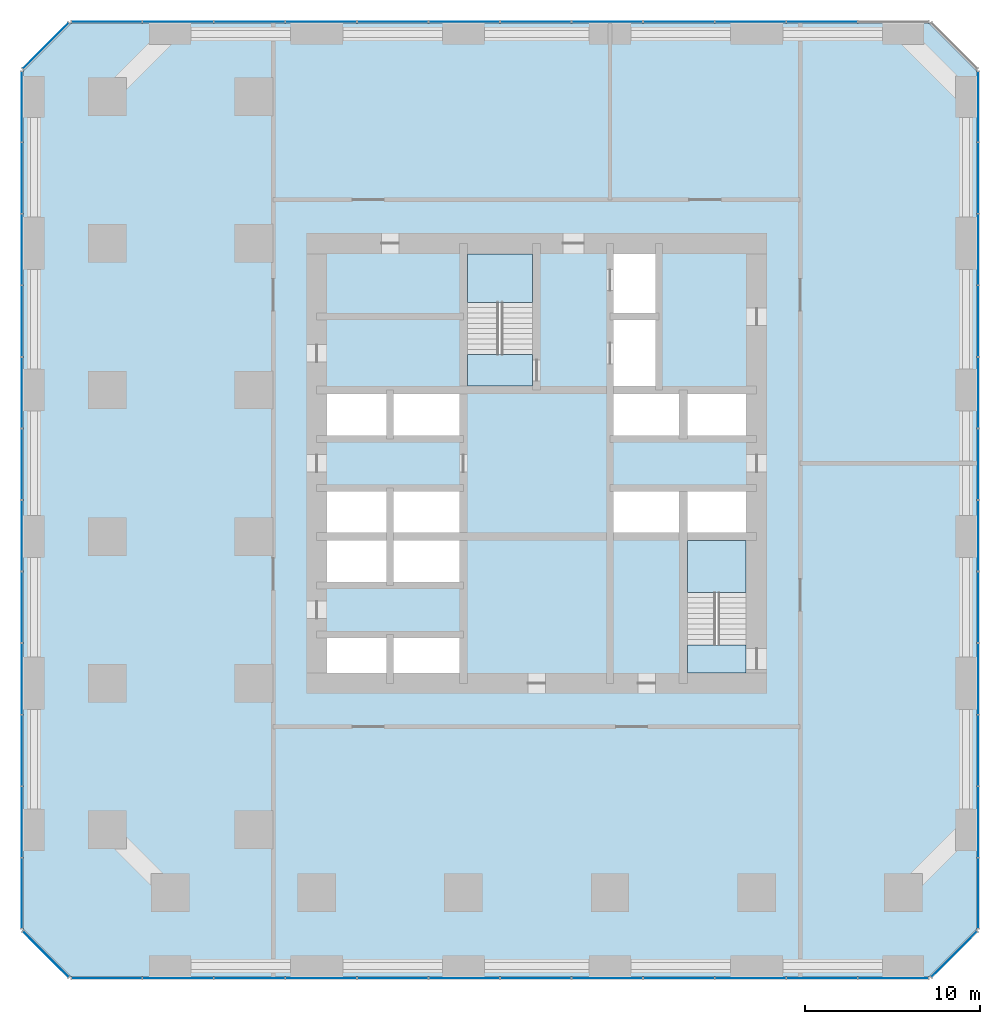
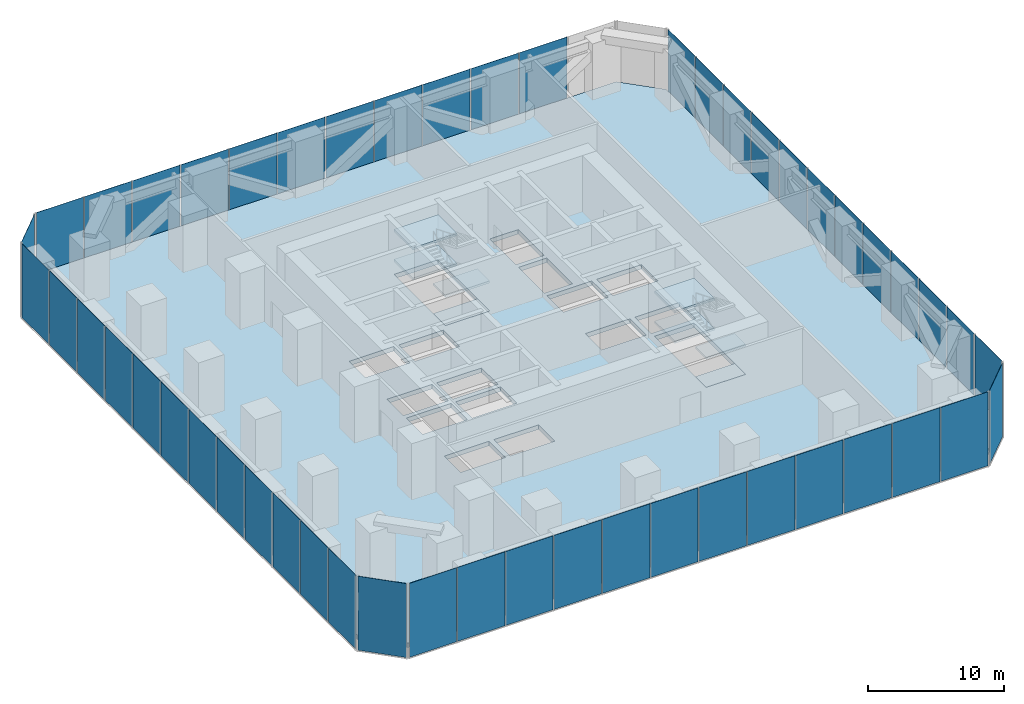
# One storey, part 7 of 10: 50 plates, 9 slabs, 9 elements without a shape of their own.
"""IFC4 building model written with IfcOpenShell, lengths in metres."""

from ifc_helpers import new_model, si_unit, direction, frame, origin, origin_2d, place, context, subcontext, project, spatial, polyline, rectangle, outline, extrude, material, layer, layer_set, type_object, element, aggregate, save


model = new_model("IFC4")

# Units and contexts
model_context = context("Model", 3, precision=1e-05, world=origin(), true_north=direction((0.0, 1.0)))
body_context = subcontext(model_context, "Body", "Model", "MODEL_VIEW")
ifc_project = project(units=[si_unit("LENGTHUNIT", "METRE"), si_unit("AREAUNIT", "SQUARE_METRE"), si_unit("VOLUMEUNIT", "CUBIC_METRE"), si_unit("PLANEANGLEUNIT", "RADIAN"), si_unit("MASSUNIT", "GRAM", prefix="KILO")], contexts=[model_context])

# Site, building, storey
site_placement = place(None, origin())
site = spatial("IfcSite", under=ifc_project, at=site_placement, CompositionType="ELEMENT")
building_placement = place(site_placement, origin())
building = spatial("IfcBuilding", under=site, at=building_placement, Name="Dunama Terrace Hotel", CompositionType="ELEMENT")
storey_placement = place(building_placement, frame((0.0, 0.0, 153.60009765625)))
storey = spatial("IfcBuildingStorey", under=building, at=storey_placement, Name="L39", CompositionType="ELEMENT", Elevation=153.60009765625)

# Curtain wall, plates
ifc_material_1 = material(Name="Aluminium curtain wall system", Category="aluminium")
curtain_wall_type = type_object("IfcCurtainWallType", Name="Plant floor louvred glazing CW-G", PredefinedType="NOTDEFINED", material=ifc_material_1)
curtain_wall_1_placement = place(storey_placement, origin())
curtain_wall_1 = element("IfcCurtainWall", 1, at=curtain_wall_1_placement, inside=storey, type_object=curtain_wall_type, Name="Plant floor louvred glazing CW-G L39", PredefinedType="NOTDEFINED")
ifc_material_2 = material(Name="Aluminium louvre blades", Category="aluminium")
ifc_layer_1 = layer(ifc_material_2, 0.02392578125)
ifc_layer_set_1 = layer_set([ifc_layer_1], Name="CWG louvre panel")
plate_type = type_object("IfcPlateType", Name="CWG louvre panel", PredefinedType="CURTAIN_PANEL", material=ifc_layer_set_1)
plate_1_placement = place(storey_placement, frame((4.76904296875, -0.10009765625, -1.236328125), z_axis=(0.0, 0.0, 1.0), x_axis=(1.0, 0.0, 0.0)))
plate_1 = element("IfcPlate", 2, at=plate_1_placement, type_object=plate_type, Name="CWG louvre panel", PredefinedType="CURTAIN_PANEL", context=body_context, shape_type="SweptSolid", body=[
    extrude(rectangle(XDim=3.987548828125, YDim=0.02392578125, at=origin_2d()), origin(), (0.0, 0.0, 1.0), 6.635986328125),
])
plate_2_placement = place(storey_placement, frame((8.85009765625, -0.10009765625, -1.236328125), z_axis=(0.0, 0.0, 1.0), x_axis=(1.0, 0.0, 0.0)))
plate_2 = element("IfcPlate", 3, at=plate_2_placement, type_object=plate_type, Name="CWG louvre panel", PredefinedType="CURTAIN_PANEL", context=body_context, shape_type="SweptSolid", body=[
    extrude(rectangle(XDim=4.02490234375, YDim=0.02392578125, at=origin_2d()), origin(), (0.0, 0.0, 1.0), 6.635986328125),
])
plate_3_placement = place(storey_placement, frame((12.949951171875, -0.10009765625, -1.236328125), z_axis=(0.0, 0.0, 1.0), x_axis=(1.0, 0.0, 0.0)))
plate_3 = element("IfcPlate", 4, at=plate_3_placement, type_object=plate_type, Name="CWG louvre panel", PredefinedType="CURTAIN_PANEL", context=body_context, shape_type="SweptSolid", body=[
    extrude(rectangle(XDim=4.02490234375, YDim=0.02392578125, at=origin_2d()), origin(), (0.0, 0.0, 1.0), 6.635986328125),
])
plate_4_placement = place(storey_placement, frame((17.050048828125, -0.10009765625, -1.236328125), z_axis=(0.0, 0.0, 1.0), x_axis=(1.0, 0.0, 0.0)))
plate_4 = element("IfcPlate", 5, at=plate_4_placement, type_object=plate_type, Name="CWG louvre panel", PredefinedType="CURTAIN_PANEL", context=body_context, shape_type="SweptSolid", body=[
    extrude(rectangle(XDim=4.02490234375, YDim=0.02392578125, at=origin_2d()), origin(), (0.0, 0.0, 1.0), 6.635986328125),
])
plate_5_placement = place(storey_placement, frame((21.14990234375, -0.10009765625, -1.236328125), z_axis=(0.0, 0.0, 1.0), x_axis=(1.0, 0.0, 0.0)))
plate_5 = element("IfcPlate", 6, at=plate_5_placement, type_object=plate_type, Name="CWG louvre panel", PredefinedType="CURTAIN_PANEL", context=body_context, shape_type="SweptSolid", body=[
    extrude(rectangle(XDim=4.02490234375, YDim=0.02392578125, at=origin_2d()), origin(), (0.0, 0.0, 1.0), 6.635986328125),
])
plate_6_placement = place(storey_placement, frame((25.25, -0.10009765625, -1.236328125), z_axis=(0.0, 0.0, 1.0), x_axis=(1.0, 0.0, 0.0)))
plate_6 = element("IfcPlate", 7, at=plate_6_placement, type_object=plate_type, Name="CWG louvre panel", PredefinedType="CURTAIN_PANEL", context=body_context, shape_type="SweptSolid", body=[
    extrude(rectangle(XDim=4.02490234375, YDim=0.02392578125, at=origin_2d()), origin(), (0.0, 0.0, 1.0), 6.635986328125),
])
plate_7_placement = place(storey_placement, frame((29.35009765625, -0.10009765625, -1.236328125), z_axis=(0.0, 0.0, 1.0), x_axis=(1.0, 0.0, 0.0)))
plate_7 = element("IfcPlate", 8, at=plate_7_placement, type_object=plate_type, Name="CWG louvre panel", PredefinedType="CURTAIN_PANEL", context=body_context, shape_type="SweptSolid", body=[
    extrude(rectangle(XDim=4.02490234375, YDim=0.02392578125, at=origin_2d()), origin(), (0.0, 0.0, 1.0), 6.635986328125),
])
plate_8_placement = place(storey_placement, frame((33.449951171875, -0.10009765625, -1.236328125), z_axis=(0.0, 0.0, 1.0), x_axis=(1.0, 0.0, 0.0)))
plate_8 = element("IfcPlate", 9, at=plate_8_placement, type_object=plate_type, Name="CWG louvre panel", PredefinedType="CURTAIN_PANEL", context=body_context, shape_type="SweptSolid", body=[
    extrude(rectangle(XDim=4.02490234375, YDim=0.02392578125, at=origin_2d()), origin(), (0.0, 0.0, 1.0), 6.635986328125),
])
plate_9_placement = place(storey_placement, frame((37.550048828125, -0.10009765625, -1.236328125), z_axis=(0.0, 0.0, 1.0), x_axis=(1.0, 0.0, 0.0)))
plate_9 = element("IfcPlate", 10, at=plate_9_placement, type_object=plate_type, Name="CWG louvre panel", PredefinedType="CURTAIN_PANEL", context=body_context, shape_type="SweptSolid", body=[
    extrude(rectangle(XDim=4.02490234375, YDim=0.02392578125, at=origin_2d()), origin(), (0.0, 0.0, 1.0), 6.635986328125),
])
plate_10_placement = place(storey_placement, frame((41.64990234375, -0.10009765625, -1.236328125), z_axis=(0.0, 0.0, 1.0), x_axis=(1.0, 0.0, 0.0)))
plate_10 = element("IfcPlate", 11, at=plate_10_placement, type_object=plate_type, Name="CWG louvre panel", PredefinedType="CURTAIN_PANEL", context=body_context, shape_type="SweptSolid", body=[
    extrude(rectangle(XDim=4.02490234375, YDim=0.02392578125, at=origin_2d()), origin(), (0.0, 0.0, 1.0), 6.635986328125),
])
plate_11_placement = place(storey_placement, frame((45.75, -0.10009765625, -1.236328125), z_axis=(0.0, 0.0, 1.0), x_axis=(1.0, 0.0, 0.0)))
plate_11 = element("IfcPlate", 12, at=plate_11_placement, type_object=plate_type, Name="CWG louvre panel", PredefinedType="CURTAIN_PANEL", context=body_context, shape_type="SweptSolid", body=[
    extrude(rectangle(XDim=4.02490234375, YDim=0.02392578125, at=origin_2d()), origin(), (0.0, 0.0, 1.0), 6.635986328125),
])
plate_12_placement = place(storey_placement, frame((49.8310546875, -0.10009765625, -1.236328125), z_axis=(0.0, 0.0, 1.0), x_axis=(1.0, 0.0, 0.0)))
plate_12 = element("IfcPlate", 13, at=plate_12_placement, type_object=plate_type, Name="CWG louvre panel", PredefinedType="CURTAIN_PANEL", context=body_context, shape_type="SweptSolid", body=[
    extrude(rectangle(XDim=3.987548828125, YDim=0.02392578125, at=origin_2d()), origin(), (0.0, 0.0, 1.0), 6.635986328125),
])
aggregate(curtain_wall_1, [plate_1, plate_2, plate_3, plate_4, plate_5, plate_6, plate_7, plate_8, plate_9, plate_10, plate_11, plate_12])

# Curtain wall, plate
curtain_wall_2_placement = place(storey_placement, origin())
curtain_wall_2 = element("IfcCurtainWall", 14, at=curtain_wall_2_placement, inside=storey, type_object=curtain_wall_type, Name="Plant floor louvred glazing CW-G L39", PredefinedType="NOTDEFINED")
plate_13_placement = place(storey_placement, frame((53.321044921875, 1.279052734375, -1.236328125), z_axis=(0.0, 0.0, 1.0), x_axis=(0.707106781187, 0.707106781187, 0.0)))
plate_13 = element("IfcPlate", 15, at=plate_13_placement, type_object=plate_type, Name="CWG louvre panel", PredefinedType="CURTAIN_PANEL", context=body_context, shape_type="SweptSolid", body=[
    extrude(rectangle(XDim=3.66845703125, YDim=0.02392578125, at=origin_2d()), origin(), (0.0, 0.0, 1.0), 6.635986328125),
])
aggregate(curtain_wall_2, [plate_13])

# Curtain wall, plates
curtain_wall_3_placement = place(storey_placement, origin())
curtain_wall_3 = element("IfcCurtainWall", 16, at=curtain_wall_3_placement, inside=storey, type_object=curtain_wall_type, Name="Plant floor louvred glazing CW-G L39", PredefinedType="NOTDEFINED")
plate_14_placement = place(storey_placement, frame((54.699951171875, 4.76904296875, -1.236328125), z_axis=(0.0, 0.0, 1.0), x_axis=(0.0, 1.0, 0.0)))
plate_14 = element("IfcPlate", 17, at=plate_14_placement, type_object=plate_type, Name="CWG louvre panel", PredefinedType="CURTAIN_PANEL", context=body_context, shape_type="SweptSolid", body=[
    extrude(rectangle(XDim=3.987548828125, YDim=0.02392578125, at=origin_2d()), origin(), (0.0, 0.0, 1.0), 6.635986328125),
])
plate_15_placement = place(storey_placement, frame((54.699951171875, 8.85009765625, -1.236328125), z_axis=(0.0, 0.0, 1.0), x_axis=(0.0, 1.0, 0.0)))
plate_15 = element("IfcPlate", 18, at=plate_15_placement, type_object=plate_type, Name="CWG louvre panel", PredefinedType="CURTAIN_PANEL", context=body_context, shape_type="SweptSolid", body=[
    extrude(rectangle(XDim=4.02490234375, YDim=0.02392578125, at=origin_2d()), origin(), (0.0, 0.0, 1.0), 6.635986328125),
])
plate_16_placement = place(storey_placement, frame((54.699951171875, 12.949951171875, -1.236328125), z_axis=(0.0, 0.0, 1.0), x_axis=(0.0, 1.0, 0.0)))
plate_16 = element("IfcPlate", 19, at=plate_16_placement, type_object=plate_type, Name="CWG louvre panel", PredefinedType="CURTAIN_PANEL", context=body_context, shape_type="SweptSolid", body=[
    extrude(rectangle(XDim=4.02490234375, YDim=0.02392578125, at=origin_2d()), origin(), (0.0, 0.0, 1.0), 6.635986328125),
])
plate_17_placement = place(storey_placement, frame((54.699951171875, 17.050048828125, -1.236328125), z_axis=(0.0, 0.0, 1.0), x_axis=(0.0, 1.0, 0.0)))
plate_17 = element("IfcPlate", 20, at=plate_17_placement, type_object=plate_type, Name="CWG louvre panel", PredefinedType="CURTAIN_PANEL", context=body_context, shape_type="SweptSolid", body=[
    extrude(rectangle(XDim=4.02490234375, YDim=0.02392578125, at=origin_2d()), origin(), (0.0, 0.0, 1.0), 6.635986328125),
])
plate_18_placement = place(storey_placement, frame((54.699951171875, 21.14990234375, -1.236328125), z_axis=(0.0, 0.0, 1.0), x_axis=(0.0, 1.0, 0.0)))
plate_18 = element("IfcPlate", 21, at=plate_18_placement, type_object=plate_type, Name="CWG louvre panel", PredefinedType="CURTAIN_PANEL", context=body_context, shape_type="SweptSolid", body=[
    extrude(rectangle(XDim=4.02490234375, YDim=0.02392578125, at=origin_2d()), origin(), (0.0, 0.0, 1.0), 6.635986328125),
])
plate_19_placement = place(storey_placement, frame((54.699951171875, 25.25, -1.236328125), z_axis=(0.0, 0.0, 1.0), x_axis=(0.0, 1.0, 0.0)))
plate_19 = element("IfcPlate", 22, at=plate_19_placement, type_object=plate_type, Name="CWG louvre panel", PredefinedType="CURTAIN_PANEL", context=body_context, shape_type="SweptSolid", body=[
    extrude(rectangle(XDim=4.02490234375, YDim=0.02392578125, at=origin_2d()), origin(), (0.0, 0.0, 1.0), 6.635986328125),
])
plate_20_placement = place(storey_placement, frame((54.699951171875, 29.35009765625, -1.236328125), z_axis=(0.0, 0.0, 1.0), x_axis=(0.0, 1.0, 0.0)))
plate_20 = element("IfcPlate", 23, at=plate_20_placement, type_object=plate_type, Name="CWG louvre panel", PredefinedType="CURTAIN_PANEL", context=body_context, shape_type="SweptSolid", body=[
    extrude(rectangle(XDim=4.02490234375, YDim=0.02392578125, at=origin_2d()), origin(), (0.0, 0.0, 1.0), 6.635986328125),
])
plate_21_placement = place(storey_placement, frame((54.699951171875, 33.449951171875, -1.236328125), z_axis=(0.0, 0.0, 1.0), x_axis=(0.0, 1.0, 0.0)))
plate_21 = element("IfcPlate", 24, at=plate_21_placement, type_object=plate_type, Name="CWG louvre panel", PredefinedType="CURTAIN_PANEL", context=body_context, shape_type="SweptSolid", body=[
    extrude(rectangle(XDim=4.02490234375, YDim=0.02392578125, at=origin_2d()), origin(), (0.0, 0.0, 1.0), 6.635986328125),
])
plate_22_placement = place(storey_placement, frame((54.699951171875, 37.550048828125, -1.236328125), z_axis=(0.0, 0.0, 1.0), x_axis=(0.0, 1.0, 0.0)))
plate_22 = element("IfcPlate", 25, at=plate_22_placement, type_object=plate_type, Name="CWG louvre panel", PredefinedType="CURTAIN_PANEL", context=body_context, shape_type="SweptSolid", body=[
    extrude(rectangle(XDim=4.02490234375, YDim=0.02392578125, at=origin_2d()), origin(), (0.0, 0.0, 1.0), 6.635986328125),
])
plate_23_placement = place(storey_placement, frame((54.699951171875, 41.64990234375, -1.236328125), z_axis=(0.0, 0.0, 1.0), x_axis=(0.0, 1.0, 0.0)))
plate_23 = element("IfcPlate", 26, at=plate_23_placement, type_object=plate_type, Name="CWG louvre panel", PredefinedType="CURTAIN_PANEL", context=body_context, shape_type="SweptSolid", body=[
    extrude(rectangle(XDim=4.02490234375, YDim=0.02392578125, at=origin_2d()), origin(), (0.0, 0.0, 1.0), 6.635986328125),
])
plate_24_placement = place(storey_placement, frame((54.699951171875, 45.75, -1.236328125), z_axis=(0.0, 0.0, 1.0), x_axis=(0.0, 1.0, 0.0)))
plate_24 = element("IfcPlate", 27, at=plate_24_placement, type_object=plate_type, Name="CWG louvre panel", PredefinedType="CURTAIN_PANEL", context=body_context, shape_type="SweptSolid", body=[
    extrude(rectangle(XDim=4.02490234375, YDim=0.02392578125, at=origin_2d()), origin(), (0.0, 0.0, 1.0), 6.635986328125),
])
plate_25_placement = place(storey_placement, frame((54.699951171875, 49.8310546875, -1.236328125), z_axis=(0.0, 0.0, 1.0), x_axis=(0.0, 1.0, 0.0)))
plate_25 = element("IfcPlate", 28, at=plate_25_placement, type_object=plate_type, Name="CWG louvre panel", PredefinedType="CURTAIN_PANEL", context=body_context, shape_type="SweptSolid", body=[
    extrude(rectangle(XDim=3.987548828125, YDim=0.02392578125, at=origin_2d()), origin(), (0.0, 0.0, 1.0), 6.635986328125),
])
aggregate(curtain_wall_3, [plate_14, plate_15, plate_16, plate_17, plate_18, plate_19, plate_20, plate_21, plate_22, plate_23, plate_24, plate_25])

curtain_wall_4_placement = place(storey_placement, origin())
curtain_wall_4 = element("IfcCurtainWall", 29, at=curtain_wall_4_placement, inside=storey, type_object=curtain_wall_type, Name="Plant floor louvred glazing CW-G L39", PredefinedType="NOTDEFINED")
plate_26_placement = place(storey_placement, frame((45.75, 54.699951171875, -1.236328125), z_axis=(0.0, 0.0, 1.0), x_axis=(-1.0, 0.0, 0.0)))
plate_26 = element("IfcPlate", 30, at=plate_26_placement, type_object=plate_type, Name="CWG louvre panel", PredefinedType="CURTAIN_PANEL", context=body_context, shape_type="SweptSolid", body=[
    extrude(rectangle(XDim=4.02490234375, YDim=0.02392578125, at=origin_2d()), origin(), (0.0, 0.0, 1.0), 6.635986328125),
])
plate_27_placement = place(storey_placement, frame((41.64990234375, 54.699951171875, -1.236328125), z_axis=(0.0, 0.0, 1.0), x_axis=(-1.0, 0.0, 0.0)))
plate_27 = element("IfcPlate", 31, at=plate_27_placement, type_object=plate_type, Name="CWG louvre panel", PredefinedType="CURTAIN_PANEL", context=body_context, shape_type="SweptSolid", body=[
    extrude(rectangle(XDim=4.02490234375, YDim=0.02392578125, at=origin_2d()), origin(), (0.0, 0.0, 1.0), 6.635986328125),
])
plate_28_placement = place(storey_placement, frame((37.550048828125, 54.699951171875, -1.236328125), z_axis=(0.0, 0.0, 1.0), x_axis=(-1.0, 0.0, 0.0)))
plate_28 = element("IfcPlate", 32, at=plate_28_placement, type_object=plate_type, Name="CWG louvre panel", PredefinedType="CURTAIN_PANEL", context=body_context, shape_type="SweptSolid", body=[
    extrude(rectangle(XDim=4.02490234375, YDim=0.02392578125, at=origin_2d()), origin(), (0.0, 0.0, 1.0), 6.635986328125),
])
plate_29_placement = place(storey_placement, frame((33.449951171875, 54.699951171875, -1.236328125), z_axis=(0.0, 0.0, 1.0), x_axis=(-1.0, 0.0, 0.0)))
plate_29 = element("IfcPlate", 33, at=plate_29_placement, type_object=plate_type, Name="CWG louvre panel", PredefinedType="CURTAIN_PANEL", context=body_context, shape_type="SweptSolid", body=[
    extrude(rectangle(XDim=4.02490234375, YDim=0.02392578125, at=origin_2d()), origin(), (0.0, 0.0, 1.0), 6.635986328125),
])
plate_30_placement = place(storey_placement, frame((29.35009765625, 54.699951171875, -1.236328125), z_axis=(0.0, 0.0, 1.0), x_axis=(-1.0, 0.0, 0.0)))
plate_30 = element("IfcPlate", 34, at=plate_30_placement, type_object=plate_type, Name="CWG louvre panel", PredefinedType="CURTAIN_PANEL", context=body_context, shape_type="SweptSolid", body=[
    extrude(rectangle(XDim=4.02490234375, YDim=0.02392578125, at=origin_2d()), origin(), (0.0, 0.0, 1.0), 6.635986328125),
])
plate_31_placement = place(storey_placement, frame((25.25, 54.699951171875, -1.236328125), z_axis=(0.0, 0.0, 1.0), x_axis=(-1.0, 0.0, 0.0)))
plate_31 = element("IfcPlate", 35, at=plate_31_placement, type_object=plate_type, Name="CWG louvre panel", PredefinedType="CURTAIN_PANEL", context=body_context, shape_type="SweptSolid", body=[
    extrude(rectangle(XDim=4.02490234375, YDim=0.02392578125, at=origin_2d()), origin(), (0.0, 0.0, 1.0), 6.635986328125),
])
plate_32_placement = place(storey_placement, frame((21.14990234375, 54.699951171875, -1.236328125), z_axis=(0.0, 0.0, 1.0), x_axis=(-1.0, 0.0, 0.0)))
plate_32 = element("IfcPlate", 36, at=plate_32_placement, type_object=plate_type, Name="CWG louvre panel", PredefinedType="CURTAIN_PANEL", context=body_context, shape_type="SweptSolid", body=[
    extrude(rectangle(XDim=4.02490234375, YDim=0.02392578125, at=origin_2d()), origin(), (0.0, 0.0, 1.0), 6.635986328125),
])
plate_33_placement = place(storey_placement, frame((17.050048828125, 54.699951171875, -1.236328125), z_axis=(0.0, 0.0, 1.0), x_axis=(-1.0, 0.0, 0.0)))
plate_33 = element("IfcPlate", 37, at=plate_33_placement, type_object=plate_type, Name="CWG louvre panel", PredefinedType="CURTAIN_PANEL", context=body_context, shape_type="SweptSolid", body=[
    extrude(rectangle(XDim=4.02490234375, YDim=0.02392578125, at=origin_2d()), origin(), (0.0, 0.0, 1.0), 6.635986328125),
])
plate_34_placement = place(storey_placement, frame((12.949951171875, 54.699951171875, -1.236328125), z_axis=(0.0, 0.0, 1.0), x_axis=(-1.0, 0.0, 0.0)))
plate_34 = element("IfcPlate", 38, at=plate_34_placement, type_object=plate_type, Name="CWG louvre panel", PredefinedType="CURTAIN_PANEL", context=body_context, shape_type="SweptSolid", body=[
    extrude(rectangle(XDim=4.02490234375, YDim=0.02392578125, at=origin_2d()), origin(), (0.0, 0.0, 1.0), 6.635986328125),
])
plate_35_placement = place(storey_placement, frame((8.85009765625, 54.699951171875, -1.236328125), z_axis=(0.0, 0.0, 1.0), x_axis=(-1.0, 0.0, 0.0)))
plate_35 = element("IfcPlate", 39, at=plate_35_placement, type_object=plate_type, Name="CWG louvre panel", PredefinedType="CURTAIN_PANEL", context=body_context, shape_type="SweptSolid", body=[
    extrude(rectangle(XDim=4.02490234375, YDim=0.02392578125, at=origin_2d()), origin(), (0.0, 0.0, 1.0), 6.635986328125),
])
plate_36_placement = place(storey_placement, frame((4.76904296875, 54.699951171875, -1.236328125), z_axis=(0.0, 0.0, 1.0), x_axis=(-1.0, 0.0, 0.0)))
plate_36 = element("IfcPlate", 40, at=plate_36_placement, type_object=plate_type, Name="CWG louvre panel", PredefinedType="CURTAIN_PANEL", context=body_context, shape_type="SweptSolid", body=[
    extrude(rectangle(XDim=3.987548828125, YDim=0.02392578125, at=origin_2d()), origin(), (0.0, 0.0, 1.0), 6.635986328125),
])
aggregate(curtain_wall_4, [plate_26, plate_27, plate_28, plate_29, plate_30, plate_31, plate_32, plate_33, plate_34, plate_35, plate_36])

# Curtain wall, plate
curtain_wall_5_placement = place(storey_placement, origin())
curtain_wall_5 = element("IfcCurtainWall", 41, at=curtain_wall_5_placement, inside=storey, type_object=curtain_wall_type, Name="Plant floor louvred glazing CW-G L39", PredefinedType="NOTDEFINED")
plate_37_placement = place(storey_placement, frame((1.279052734375, 53.321044921875, -1.236328125), z_axis=(0.0, 0.0, 1.0), x_axis=(-0.707106781187, -0.707106781187, 0.0)))
plate_37 = element("IfcPlate", 42, at=plate_37_placement, type_object=plate_type, Name="CWG louvre panel", PredefinedType="CURTAIN_PANEL", context=body_context, shape_type="SweptSolid", body=[
    extrude(rectangle(XDim=3.66845703125, YDim=0.02392578125, at=origin_2d()), origin(), (0.0, 0.0, 1.0), 6.635986328125),
])
aggregate(curtain_wall_5, [plate_37])

# Curtain wall, plates
curtain_wall_6_placement = place(storey_placement, origin())
curtain_wall_6 = element("IfcCurtainWall", 43, at=curtain_wall_6_placement, inside=storey, type_object=curtain_wall_type, Name="Plant floor louvred glazing CW-G L39", PredefinedType="NOTDEFINED")
plate_38_placement = place(storey_placement, frame((-0.10009765625, 49.8310546875, -1.236328125), z_axis=(0.0, 0.0, 1.0), x_axis=(0.0, -1.0, 0.0)))
plate_38 = element("IfcPlate", 44, at=plate_38_placement, type_object=plate_type, Name="CWG louvre panel", PredefinedType="CURTAIN_PANEL", context=body_context, shape_type="SweptSolid", body=[
    extrude(rectangle(XDim=3.987548828125, YDim=0.02392578125, at=origin_2d()), origin(), (0.0, 0.0, 1.0), 6.635986328125),
])
plate_39_placement = place(storey_placement, frame((-0.10009765625, 45.75, -1.236328125), z_axis=(0.0, 0.0, 1.0), x_axis=(0.0, -1.0, 0.0)))
plate_39 = element("IfcPlate", 45, at=plate_39_placement, type_object=plate_type, Name="CWG louvre panel", PredefinedType="CURTAIN_PANEL", context=body_context, shape_type="SweptSolid", body=[
    extrude(rectangle(XDim=4.02490234375, YDim=0.02392578125, at=origin_2d()), origin(), (0.0, 0.0, 1.0), 6.635986328125),
])
plate_40_placement = place(storey_placement, frame((-0.10009765625, 41.64990234375, -1.236328125), z_axis=(0.0, 0.0, 1.0), x_axis=(0.0, -1.0, 0.0)))
plate_40 = element("IfcPlate", 46, at=plate_40_placement, type_object=plate_type, Name="CWG louvre panel", PredefinedType="CURTAIN_PANEL", context=body_context, shape_type="SweptSolid", body=[
    extrude(rectangle(XDim=4.02490234375, YDim=0.02392578125, at=origin_2d()), origin(), (0.0, 0.0, 1.0), 6.635986328125),
])
plate_41_placement = place(storey_placement, frame((-0.10009765625, 37.550048828125, -1.236328125), z_axis=(0.0, 0.0, 1.0), x_axis=(0.0, -1.0, 0.0)))
plate_41 = element("IfcPlate", 47, at=plate_41_placement, type_object=plate_type, Name="CWG louvre panel", PredefinedType="CURTAIN_PANEL", context=body_context, shape_type="SweptSolid", body=[
    extrude(rectangle(XDim=4.02490234375, YDim=0.02392578125, at=origin_2d()), origin(), (0.0, 0.0, 1.0), 6.635986328125),
])
plate_42_placement = place(storey_placement, frame((-0.10009765625, 33.449951171875, -1.236328125), z_axis=(0.0, 0.0, 1.0), x_axis=(0.0, -1.0, 0.0)))
plate_42 = element("IfcPlate", 48, at=plate_42_placement, type_object=plate_type, Name="CWG louvre panel", PredefinedType="CURTAIN_PANEL", context=body_context, shape_type="SweptSolid", body=[
    extrude(rectangle(XDim=4.02490234375, YDim=0.02392578125, at=origin_2d()), origin(), (0.0, 0.0, 1.0), 6.635986328125),
])
plate_43_placement = place(storey_placement, frame((-0.10009765625, 29.35009765625, -1.236328125), z_axis=(0.0, 0.0, 1.0), x_axis=(0.0, -1.0, 0.0)))
plate_43 = element("IfcPlate", 49, at=plate_43_placement, type_object=plate_type, Name="CWG louvre panel", PredefinedType="CURTAIN_PANEL", context=body_context, shape_type="SweptSolid", body=[
    extrude(rectangle(XDim=4.02490234375, YDim=0.02392578125, at=origin_2d()), origin(), (0.0, 0.0, 1.0), 6.635986328125),
])
plate_44_placement = place(storey_placement, frame((-0.10009765625, 25.25, -1.236328125), z_axis=(0.0, 0.0, 1.0), x_axis=(0.0, -1.0, 0.0)))
plate_44 = element("IfcPlate", 50, at=plate_44_placement, type_object=plate_type, Name="CWG louvre panel", PredefinedType="CURTAIN_PANEL", context=body_context, shape_type="SweptSolid", body=[
    extrude(rectangle(XDim=4.02490234375, YDim=0.02392578125, at=origin_2d()), origin(), (0.0, 0.0, 1.0), 6.635986328125),
])
plate_45_placement = place(storey_placement, frame((-0.10009765625, 21.14990234375, -1.236328125), z_axis=(0.0, 0.0, 1.0), x_axis=(0.0, -1.0, 0.0)))
plate_45 = element("IfcPlate", 51, at=plate_45_placement, type_object=plate_type, Name="CWG louvre panel", PredefinedType="CURTAIN_PANEL", context=body_context, shape_type="SweptSolid", body=[
    extrude(rectangle(XDim=4.02490234375, YDim=0.02392578125, at=origin_2d()), origin(), (0.0, 0.0, 1.0), 6.635986328125),
])
plate_46_placement = place(storey_placement, frame((-0.10009765625, 17.050048828125, -1.236328125), z_axis=(0.0, 0.0, 1.0), x_axis=(0.0, -1.0, 0.0)))
plate_46 = element("IfcPlate", 52, at=plate_46_placement, type_object=plate_type, Name="CWG louvre panel", PredefinedType="CURTAIN_PANEL", context=body_context, shape_type="SweptSolid", body=[
    extrude(rectangle(XDim=4.02490234375, YDim=0.02392578125, at=origin_2d()), origin(), (0.0, 0.0, 1.0), 6.635986328125),
])
plate_47_placement = place(storey_placement, frame((-0.10009765625, 12.949951171875, -1.236328125), z_axis=(0.0, 0.0, 1.0), x_axis=(0.0, -1.0, 0.0)))
plate_47 = element("IfcPlate", 53, at=plate_47_placement, type_object=plate_type, Name="CWG louvre panel", PredefinedType="CURTAIN_PANEL", context=body_context, shape_type="SweptSolid", body=[
    extrude(rectangle(XDim=4.02490234375, YDim=0.02392578125, at=origin_2d()), origin(), (0.0, 0.0, 1.0), 6.635986328125),
])
plate_48_placement = place(storey_placement, frame((-0.10009765625, 8.85009765625, -1.236328125), z_axis=(0.0, 0.0, 1.0), x_axis=(0.0, -1.0, 0.0)))
plate_48 = element("IfcPlate", 54, at=plate_48_placement, type_object=plate_type, Name="CWG louvre panel", PredefinedType="CURTAIN_PANEL", context=body_context, shape_type="SweptSolid", body=[
    extrude(rectangle(XDim=4.02490234375, YDim=0.02392578125, at=origin_2d()), origin(), (0.0, 0.0, 1.0), 6.635986328125),
])
plate_49_placement = place(storey_placement, frame((-0.10009765625, 4.76904296875, -1.236328125), z_axis=(0.0, 0.0, 1.0), x_axis=(0.0, -1.0, 0.0)))
plate_49 = element("IfcPlate", 55, at=plate_49_placement, type_object=plate_type, Name="CWG louvre panel", PredefinedType="CURTAIN_PANEL", context=body_context, shape_type="SweptSolid", body=[
    extrude(rectangle(XDim=3.987548828125, YDim=0.02392578125, at=origin_2d()), origin(), (0.0, 0.0, 1.0), 6.635986328125),
])
aggregate(curtain_wall_6, [plate_38, plate_39, plate_40, plate_41, plate_42, plate_43, plate_44, plate_45, plate_46, plate_47, plate_48, plate_49])

# Curtain wall, plate
curtain_wall_7_placement = place(storey_placement, origin())
curtain_wall_7 = element("IfcCurtainWall", 56, at=curtain_wall_7_placement, inside=storey, type_object=curtain_wall_type, Name="Plant floor louvred glazing CW-G L39", PredefinedType="NOTDEFINED")
plate_50_placement = place(storey_placement, frame((1.279052734375, 1.279052734375, -1.236328125), z_axis=(0.0, 0.0, 1.0), x_axis=(0.707106781187, -0.707106781187, 0.0)))
plate_50 = element("IfcPlate", 57, at=plate_50_placement, type_object=plate_type, Name="CWG louvre panel", PredefinedType="CURTAIN_PANEL", context=body_context, shape_type="SweptSolid", body=[
    extrude(rectangle(XDim=3.66845703125, YDim=0.02392578125, at=origin_2d()), origin(), (0.0, 0.0, 1.0), 6.635986328125),
])
aggregate(curtain_wall_7, [plate_50])

# Slab
ifc_material_3 = material(Name="Concrete C40/50", Category="concrete")
ifc_layer_2 = layer(ifc_material_3, 0.39990234375)
ifc_layer_set_2 = layer_set([ifc_layer_2], Name="Plant floor plate 400")
slab_type_1 = type_object("IfcSlabType", Name="Plant floor plate 400", PredefinedType="FLOOR", material=ifc_layer_set_2)
slab_1_placement = place(storey_placement, frame((0.0, 0.0, -0.400146484375)))
element("IfcSlab", 58, at=slab_1_placement, inside=storey, type_object=slab_type_1, Name="Floor slab L39", PredefinedType="FLOOR", context=body_context, shape_type="SweptSolid", body=[
    extrude(outline(polyline([(2.699951171875, 0.0), (51.89990234375, 0.0), (54.60009765625, 2.699951171875), (54.60009765625, 51.89990234375), (51.89990234375, 54.60009765625), (2.699951171875, 54.60009765625), (0.0, 51.89990234375), (0.0, 2.699951171875), (2.699951171875, 0.0)]), holes=[polyline([(37.60009765625, 25.39990234375), (37.60009765625, 27.800048828125), (33.800048828125, 27.800048828125), (33.800048828125, 25.39990234375), (37.60009765625, 25.39990234375)]), polyline([(41.800048828125, 25.39990234375), (41.800048828125, 27.800048828125), (38.0, 27.800048828125), (38.0, 25.39990234375), (41.800048828125, 25.39990234375)]), polyline([(20.800048828125, 17.0), (20.800048828125, 19.39990234375), (17.0, 19.39990234375), (17.0, 17.0), (20.800048828125, 17.0)]), polyline([(25.0, 17.0), (25.0, 19.39990234375), (21.199951171875, 19.39990234375), (21.199951171875, 17.0), (25.0, 17.0)]), polyline([(20.800048828125, 22.60009765625), (20.800048828125, 25.0), (17.0, 25.0), (17.0, 22.60009765625), (20.800048828125, 22.60009765625)]), polyline([(25.0, 22.60009765625), (25.0, 25.0), (21.199951171875, 25.0), (21.199951171875, 22.60009765625), (25.0, 22.60009765625)]), polyline([(20.800048828125, 25.39990234375), (20.800048828125, 27.800048828125), (17.0, 27.800048828125), (17.0, 25.39990234375), (20.800048828125, 25.39990234375)]), polyline([(25.0, 25.39990234375), (25.0, 27.800048828125), (21.199951171875, 27.800048828125), (21.199951171875, 25.39990234375), (25.0, 25.39990234375)]), polyline([(20.800048828125, 31.0), (20.800048828125, 33.39990234375), (17.0, 33.39990234375), (17.0, 31.0), (20.800048828125, 31.0)]), polyline([(25.0, 31.0), (25.0, 33.39990234375), (21.199951171875, 33.39990234375), (21.199951171875, 31.0), (25.0, 31.0)]), polyline([(37.60009765625, 31.0), (37.60009765625, 33.39990234375), (33.800048828125, 33.39990234375), (33.800048828125, 31.0), (37.60009765625, 31.0)]), polyline([(41.800048828125, 31.0), (41.800048828125, 33.39990234375), (38.0, 33.39990234375), (38.0, 31.0), (41.800048828125, 31.0)]), polyline([(36.199951171875, 38.0), (36.199951171875, 41.800048828125), (33.800048828125, 41.800048828125), (33.800048828125, 38.0), (36.199951171875, 38.0)]), polyline([(36.199951171875, 33.800048828125), (36.199951171875, 37.60009765625), (33.800048828125, 37.60009765625), (33.800048828125, 33.800048828125), (36.199951171875, 33.800048828125)]), polyline([(29.175048828125, 33.824951171875), (29.175048828125, 41.39990234375), (25.425048828125, 41.39990234375), (25.425048828125, 33.824951171875), (29.175048828125, 33.824951171875)]), polyline([(41.39990234375, 17.39990234375), (41.39990234375, 24.97509765625), (38.050048828125, 24.97509765625), (38.050048828125, 17.39990234375), (41.39990234375, 17.39990234375)])]), origin(), (0.0, 0.0, 1.0), 0.400146484375),
])

# Stair, slabs
ifc_material_4 = material(Name="Concrete C40/50", Category="concrete")
stair_type_1 = type_object("IfcStairType", Name="Stair ST1-5400-1800", PredefinedType="HALF_TURN_STAIR", material=ifc_material_4)
stair_1_placement = place(storey_placement, origin())
stair_1 = element("IfcStair", 59, at=stair_1_placement, inside=storey, type_object=stair_type_1, Name="Stair ST1 L39", PredefinedType="HALF_TURN_STAIR")
ifc_material_5 = material(Name="Concrete C40/50", Category="concrete")
ifc_layer_3 = layer(ifc_material_5, 0.199951171875)
ifc_layer_set_3 = layer_set([ifc_layer_3], Name="Stair landing 200")
slab_type_2 = type_object("IfcSlabType", Name="Stair landing 200", PredefinedType="LANDING", material=ifc_layer_set_3)
slab_2_placement = place(storey_placement, frame((0.0, 0.0, -0.2001953125)))
slab_2 = element("IfcSlab", 60, at=slab_2_placement, type_object=slab_type_2, Name="ST1 landing 1, type S10", PredefinedType="LANDING", context=body_context, shape_type="SweptSolid", body=[
    extrude(outline(polyline([(25.425048828125, 33.824951171875), (29.175048828125, 33.824951171875), (29.175048828125, 35.625), (25.425048828125, 35.625), (25.425048828125, 33.824951171875)])), origin(), (0.0, 0.0, 1.0), 0.2001953125),
])
slab_3_placement = place(storey_placement, frame((0.0, 0.0, 1.14990234375)))
slab_3 = element("IfcSlab", 61, at=slab_3_placement, type_object=slab_type_2, Name="ST1 landing 2, type S10", PredefinedType="LANDING", context=body_context, shape_type="SweptSolid", body=[
    extrude(outline(polyline([(25.425048828125, 38.625), (29.175048828125, 38.625), (29.175048828125, 41.39990234375), (25.425048828125, 41.39990234375), (25.425048828125, 38.625)])), origin(), (0.0, 0.0, 1.0), 0.199951171875),
])
slab_4_placement = place(storey_placement, frame((0.0, 0.0, 2.5)))
slab_4 = element("IfcSlab", 62, at=slab_4_placement, type_object=slab_type_2, Name="ST1 landing 3, type S10", PredefinedType="LANDING", context=body_context, shape_type="SweptSolid", body=[
    extrude(outline(polyline([(25.425048828125, 33.824951171875), (29.175048828125, 33.824951171875), (29.175048828125, 35.625), (25.425048828125, 35.625), (25.425048828125, 33.824951171875)])), origin(), (0.0, 0.0, 1.0), 0.199951171875),
])
slab_5_placement = place(storey_placement, frame((0.0, 0.0, 3.849853515625)))
slab_5 = element("IfcSlab", 63, at=slab_5_placement, type_object=slab_type_2, Name="ST1 landing 4, type S10", PredefinedType="LANDING", context=body_context, shape_type="SweptSolid", body=[
    extrude(outline(polyline([(25.425048828125, 38.625), (29.175048828125, 38.625), (29.175048828125, 41.39990234375), (25.425048828125, 41.39990234375), (25.425048828125, 38.625)])), origin(), (0.0, 0.0, 1.0), 0.199951171875),
])
aggregate(stair_1, [slab_2, slab_3, slab_4, slab_5])

ifc_material_6 = material(Name="Concrete C40/50", Category="concrete")
stair_type_2 = type_object("IfcStairType", Name="Stair ST2-5400-1600", PredefinedType="HALF_TURN_STAIR", material=ifc_material_6)
stair_2_placement = place(storey_placement, origin())
stair_2 = element("IfcStair", 64, at=stair_2_placement, inside=storey, type_object=stair_type_2, Name="Stair ST2 L39", PredefinedType="HALF_TURN_STAIR")
slab_6_placement = place(storey_placement, frame((0.0, 0.0, -0.2001953125)))
slab_6 = element("IfcSlab", 65, at=slab_6_placement, type_object=slab_type_2, Name="ST2 landing 1, type S10", PredefinedType="LANDING", context=body_context, shape_type="SweptSolid", body=[
    extrude(outline(polyline([(38.050048828125, 17.39990234375), (41.39990234375, 17.39990234375), (41.39990234375, 19.0), (38.050048828125, 19.0), (38.050048828125, 17.39990234375)])), origin(), (0.0, 0.0, 1.0), 0.2001953125),
])
slab_7_placement = place(storey_placement, frame((0.0, 0.0, 1.14990234375)))
slab_7 = element("IfcSlab", 66, at=slab_7_placement, type_object=slab_type_2, Name="ST2 landing 2, type S10", PredefinedType="LANDING", context=body_context, shape_type="SweptSolid", body=[
    extrude(outline(polyline([(38.050048828125, 22.0), (41.39990234375, 22.0), (41.39990234375, 24.97509765625), (38.050048828125, 24.97509765625), (38.050048828125, 22.0)])), origin(), (0.0, 0.0, 1.0), 0.199951171875),
])
slab_8_placement = place(storey_placement, frame((0.0, 0.0, 2.5)))
slab_8 = element("IfcSlab", 67, at=slab_8_placement, type_object=slab_type_2, Name="ST2 landing 3, type S10", PredefinedType="LANDING", context=body_context, shape_type="SweptSolid", body=[
    extrude(outline(polyline([(38.050048828125, 17.39990234375), (41.39990234375, 17.39990234375), (41.39990234375, 19.0), (38.050048828125, 19.0), (38.050048828125, 17.39990234375)])), origin(), (0.0, 0.0, 1.0), 0.199951171875),
])
slab_9_placement = place(storey_placement, frame((0.0, 0.0, 3.849853515625)))
slab_9 = element("IfcSlab", 68, at=slab_9_placement, type_object=slab_type_2, Name="ST2 landing 4, type S10", PredefinedType="LANDING", context=body_context, shape_type="SweptSolid", body=[
    extrude(outline(polyline([(38.050048828125, 22.0), (41.39990234375, 22.0), (41.39990234375, 24.97509765625), (38.050048828125, 24.97509765625), (38.050048828125, 22.0)])), origin(), (0.0, 0.0, 1.0), 0.199951171875),
])
aggregate(stair_2, [slab_6, slab_7, slab_8, slab_9])

save(model, "model.ifc")
